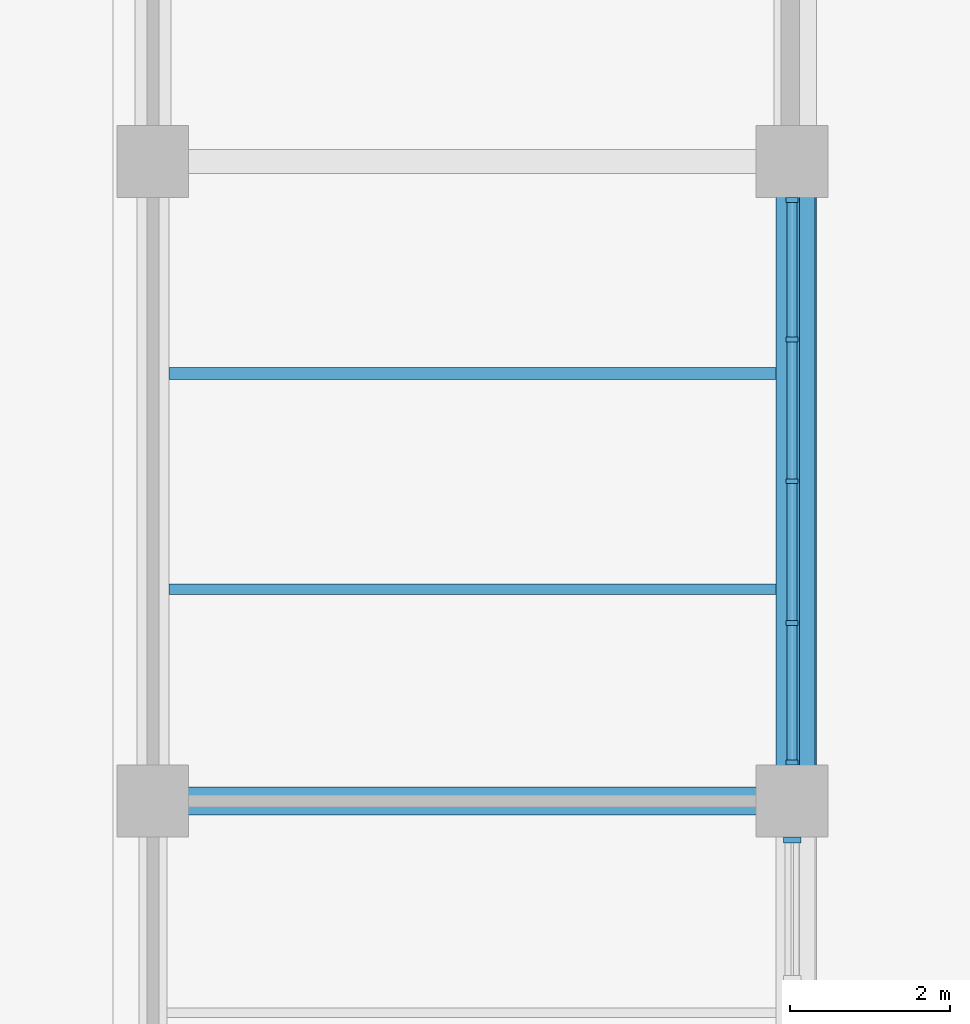
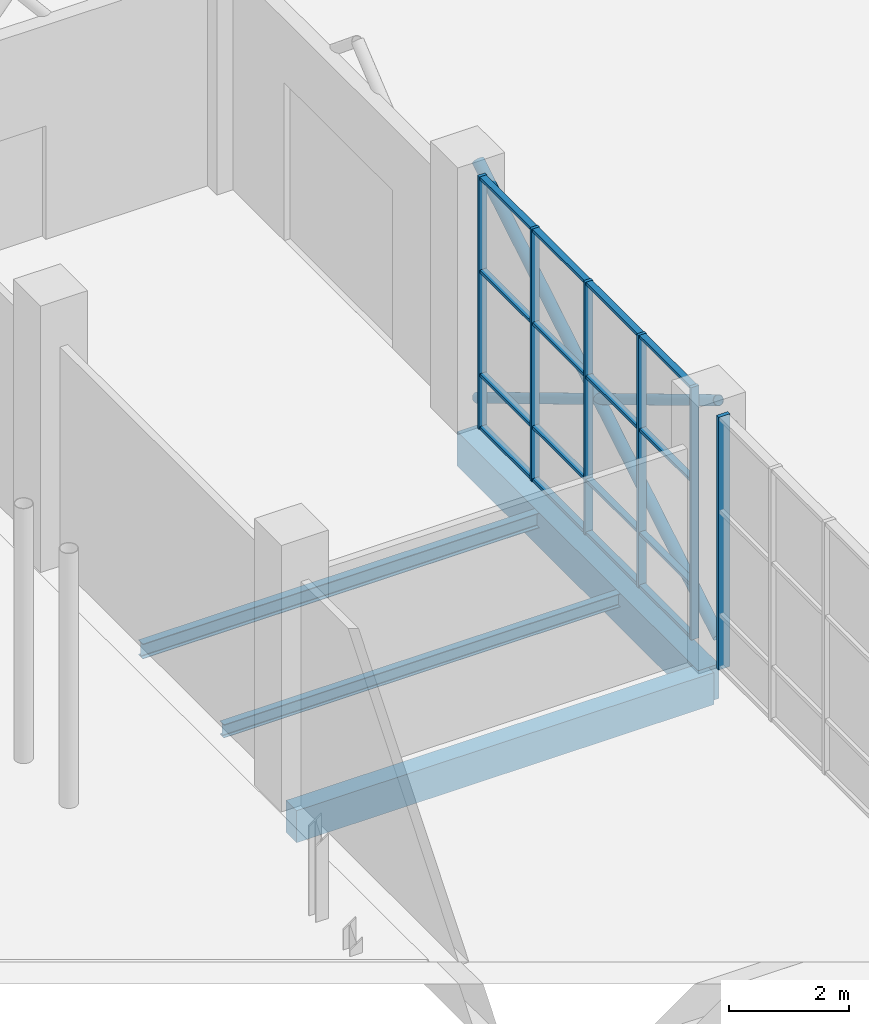
# One storey, part 55 of 123: 24 members, 4 beams, 2 elements without a shape of their own.
"""IFC4 building model written with IfcOpenShell, lengths in metres."""

from ifc_helpers import new_model, si_unit, direction, frame, origin, origin_2d, place, context, subcontext, project, spatial, rectangle, hollow_circle, i_section, extrude, material, material_profile, profile_set, type_object, element, aggregate, save


model = new_model("IFC4")

# Units and contexts
model_context = context("Model", 3, precision=1e-05, world=origin(), true_north=direction((0.0, 1.0)))
body_context = subcontext(model_context, "Body", "Model", "MODEL_VIEW")
ifc_project = project(units=[si_unit("LENGTHUNIT", "METRE"), si_unit("AREAUNIT", "SQUARE_METRE"), si_unit("VOLUMEUNIT", "CUBIC_METRE"), si_unit("PLANEANGLEUNIT", "RADIAN"), si_unit("MASSUNIT", "GRAM", prefix="KILO")], contexts=[model_context])

# Site, building, storey
site_placement = place(None, origin())
site = spatial("IfcSite", under=ifc_project, at=site_placement, CompositionType="ELEMENT")
building_placement = place(site_placement, origin())
building = spatial("IfcBuilding", under=site, at=building_placement, Name="Tenunan Teduh Sports Hall", CompositionType="ELEMENT")
storey_placement = place(building_placement, origin())
storey = spatial("IfcBuildingStorey", under=building, at=storey_placement, Name="L00", CompositionType="ELEMENT", Elevation=0.0)

# Beams
ifc_material_1 = material(Name="Concrete C40/50", Category="concrete")
ifc_material_profile_1 = material_profile(ifc_material_1, rectangle(XDim=0.35009765625, YDim=0.64990234375, at=origin_2d()), Name="RCB 350x650")
ifc_profile_set_1 = profile_set([ifc_material_profile_1], Name="Concrete C40/50")
beam_type_1 = type_object("IfcBeamType", Name="BM-RC-350x650", PredefinedType="BEAM", material=ifc_profile_set_1)
beam_1_placement = place(storey_placement, frame((146.0, 62.0, -0.625), z_axis=(1.0, 0.0, 0.0), x_axis=(0.0, 1.0, 0.0)))
element("IfcBeam", 1, at=beam_1_placement, inside=storey, type_object=beam_type_1, Name="BM-B-05-L00-0670", PredefinedType="BEAM", context=body_context, shape_type="SweptSolid", body=[
    extrude(rectangle(XDim=0.35009765625, YDim=0.64990234375, at=origin_2d()), origin(), (0.0, 0.0, 1.0), 8.0),
])
ifc_material_2 = material(Name="Concrete C40/50", Category="concrete")
ifc_material_profile_2 = material_profile(ifc_material_2, rectangle(XDim=0.39990234375, YDim=0.699951171875, at=origin_2d()), Name="RCB 400x700")
ifc_profile_set_2 = profile_set([ifc_material_profile_2], Name="Concrete C40/50")
beam_type_2 = type_object("IfcBeamType", Name="BM-RC-400x700", PredefinedType="BEAM", material=ifc_profile_set_2)
beam_2_placement = place(storey_placement, frame((154.0, 62.0, -0.64990234375), z_axis=(0.0, 1.0, 0.0), x_axis=(-1.0, 0.0, 0.0)))
element("IfcBeam", 2, at=beam_2_placement, inside=storey, type_object=beam_type_2, Name="BM-B-08-L00-0880", PredefinedType="BEAM", context=body_context, shape_type="SweptSolid", body=[
    extrude(rectangle(XDim=0.39990234375, YDim=0.699951171875, at=origin_2d()), origin(), (0.0, 0.0, 1.0), 8.0),
])

# Curtain wall, members
ifc_material_3 = material(Name="Anodised aluminium", Category="aluminium")
curtain_wall_type = type_object("IfcCurtainWallType", Name="CW-UNIT-1", PredefinedType="NOTDEFINED", material=ifc_material_3)
curtain_wall_1_placement = place(storey_placement, origin())
curtain_wall_1 = element("IfcCurtainWall", 3, at=curtain_wall_1_placement, inside=storey, type_object=curtain_wall_type, Name="CW-CWM-150-L00-115", PredefinedType="NOTDEFINED")
ifc_material_4 = material(Name="Anodised aluminium", Category="aluminium")
ifc_material_profile_3 = material_profile(ifc_material_4, rectangle(XDim=0.06005859375, YDim=0.14990234375, at=origin_2d()), Name="CWM 60x150")
ifc_profile_set_3 = profile_set([ifc_material_profile_3], Name="Anodised aluminium")
member_type_1 = type_object("IfcMemberType", Name="CWM-150", PredefinedType="MULLION", material=ifc_profile_set_3)
member_1_placement = place(storey_placement, frame((154.0, 62.47998046875, 0.0), z_axis=(0.0, 0.0, 1.0), x_axis=(0.0, 1.0, 0.0)))
member_1 = element("IfcMember", 4, at=member_1_placement, type_object=member_type_1, Name="CW-01 mullion 1", PredefinedType="MULLION", context=body_context, shape_type="SweptSolid", body=[
    extrude(rectangle(XDim=0.06005859375, YDim=0.14990234375, at=origin_2d()), origin(), (0.0, 0.0, 1.0), 5.1201171875),
])
member_2_placement = place(storey_placement, frame((154.0, 64.22509765625, 0.0), z_axis=(0.0, 0.0, 1.0), x_axis=(0.0, 1.0, 0.0)))
member_2 = element("IfcMember", 5, at=member_2_placement, type_object=member_type_1, Name="CW-01 mullion 2", PredefinedType="MULLION", context=body_context, shape_type="SweptSolid", body=[
    extrude(rectangle(XDim=0.06005859375, YDim=0.14990234375, at=origin_2d()), origin(), (0.0, 0.0, 1.0), 5.1201171875),
])
member_3_placement = place(storey_placement, frame((154.0, 66.0, 0.0), z_axis=(0.0, 0.0, 1.0), x_axis=(0.0, 1.0, 0.0)))
member_3 = element("IfcMember", 6, at=member_3_placement, type_object=member_type_1, Name="CW-01 mullion 3", PredefinedType="MULLION", context=body_context, shape_type="SweptSolid", body=[
    extrude(rectangle(XDim=0.06005859375, YDim=0.14990234375, at=origin_2d()), origin(), (0.0, 0.0, 1.0), 5.1201171875),
])
member_4_placement = place(storey_placement, frame((154.0, 67.77490234375, 0.0), z_axis=(0.0, 0.0, 1.0), x_axis=(0.0, 1.0, 0.0)))
member_4 = element("IfcMember", 7, at=member_4_placement, type_object=member_type_1, Name="CW-01 mullion 4", PredefinedType="MULLION", context=body_context, shape_type="SweptSolid", body=[
    extrude(rectangle(XDim=0.06005859375, YDim=0.14990234375, at=origin_2d()), origin(), (0.0, 0.0, 1.0), 5.1201171875),
])
member_5_placement = place(storey_placement, frame((154.0, 69.52001953125, 0.0), z_axis=(0.0, 0.0, 1.0), x_axis=(0.0, 1.0, 0.0)))
member_5 = element("IfcMember", 8, at=member_5_placement, type_object=member_type_1, Name="CW-01 mullion 5", PredefinedType="MULLION", context=body_context, shape_type="SweptSolid", body=[
    extrude(rectangle(XDim=0.06005859375, YDim=0.14990234375, at=origin_2d()), origin(), (0.0, 0.0, 1.0), 5.1201171875),
])

# Curtain wall, member
curtain_wall_2_placement = place(storey_placement, origin())
curtain_wall_2 = element("IfcCurtainWall", 9, at=curtain_wall_2_placement, inside=storey, type_object=curtain_wall_type, Name="CW-CWM-220-L00-113", PredefinedType="NOTDEFINED")
ifc_material_5 = material(Name="Anodised aluminium", Category="aluminium")
ifc_material_profile_4 = material_profile(ifc_material_5, rectangle(XDim=0.074951171875, YDim=0.219970703125, at=origin_2d()), Name="CWM 75x220")
ifc_profile_set_4 = profile_set([ifc_material_profile_4], Name="Anodised aluminium")
member_type_2 = type_object("IfcMemberType", Name="CWM-220", PredefinedType="MULLION", material=ifc_profile_set_4)
member_6_placement = place(storey_placement, frame((154.0, 61.512451171875, 0.0), z_axis=(0.0, 0.0, 1.0), x_axis=(0.0, 1.0, 0.0)))
member_6 = element("IfcMember", 10, at=member_6_placement, type_object=member_type_2, Name="CW-01 mullion 5", PredefinedType="MULLION", context=body_context, shape_type="SweptSolid", body=[
    extrude(rectangle(XDim=0.074951171875, YDim=0.219970703125, at=origin_2d()), origin(), (0.0, 0.0, 1.0), 5.1201171875),
])
aggregate(curtain_wall_2, [member_6])

# Member
ifc_material_6 = material(Name="Anodised aluminium", Category="aluminium")
ifc_material_profile_5 = material_profile(ifc_material_6, rectangle(XDim=0.06005859375, YDim=0.1201171875, at=origin_2d()), Name="CWT 60x120")
ifc_profile_set_5 = profile_set([ifc_material_profile_5], Name="Anodised aluminium")
member_type_3 = type_object("IfcMemberType", Name="CWT-125", PredefinedType="USERDEFINED", material=ifc_profile_set_5)
member_7_placement = place(storey_placement, frame((154.0, 62.510009765625, 0.030029296875), z_axis=(0.0, 1.0, 0.0), x_axis=(0.0, 0.0, 1.0)))
member_7 = element("IfcMember", 11, at=member_7_placement, type_object=member_type_3, Name="CW-01 transom 1.1", ObjectType="TRANSOM", PredefinedType="USERDEFINED", context=body_context, shape_type="SweptSolid", body=[
    extrude(rectangle(XDim=0.06005859375, YDim=0.1201171875, at=origin_2d()), origin(), (0.0, 0.0, 1.0), 1.68505859375),
])

member_8_placement = place(storey_placement, frame((154.0, 62.510009765625, 1.10009765625), z_axis=(0.0, 1.0, 0.0), x_axis=(0.0, 0.0, 1.0)))
member_8 = element("IfcMember", 12, at=member_8_placement, type_object=member_type_3, Name="CW-01 transom 1.2", ObjectType="TRANSOM", PredefinedType="USERDEFINED", context=body_context, shape_type="SweptSolid", body=[
    extrude(rectangle(XDim=0.06005859375, YDim=0.1201171875, at=origin_2d()), origin(), (0.0, 0.0, 1.0), 1.68505859375),
])

member_9_placement = place(storey_placement, frame((154.0, 62.510009765625, 3.199951171875), z_axis=(0.0, 1.0, 0.0), x_axis=(0.0, 0.0, 1.0)))
member_9 = element("IfcMember", 13, at=member_9_placement, type_object=member_type_3, Name="CW-01 transom 1.3", ObjectType="TRANSOM", PredefinedType="USERDEFINED", context=body_context, shape_type="SweptSolid", body=[
    extrude(rectangle(XDim=0.06005859375, YDim=0.1201171875, at=origin_2d()), origin(), (0.0, 0.0, 1.0), 1.68505859375),
])

member_10_placement = place(storey_placement, frame((154.0, 62.510009765625, 5.090087890625), z_axis=(0.0, 1.0, 0.0), x_axis=(0.0, 0.0, 1.0)))
member_10 = element("IfcMember", 14, at=member_10_placement, type_object=member_type_3, Name="CW-01 transom 1.4", ObjectType="TRANSOM", PredefinedType="USERDEFINED", context=body_context, shape_type="SweptSolid", body=[
    extrude(rectangle(XDim=0.06005859375, YDim=0.1201171875, at=origin_2d()), origin(), (0.0, 0.0, 1.0), 1.68505859375),
])

member_11_placement = place(storey_placement, frame((154.0, 64.2548828125, 0.030029296875), z_axis=(0.0, 1.0, 0.0), x_axis=(0.0, 0.0, 1.0)))
member_11 = element("IfcMember", 15, at=member_11_placement, type_object=member_type_3, Name="CW-01 transom 2.1", ObjectType="TRANSOM", PredefinedType="USERDEFINED", context=body_context, shape_type="SweptSolid", body=[
    extrude(rectangle(XDim=0.06005859375, YDim=0.1201171875, at=origin_2d()), origin(), (0.0, 0.0, 1.0), 1.715087890625),
])

member_12_placement = place(storey_placement, frame((154.0, 64.2548828125, 1.10009765625), z_axis=(0.0, 1.0, 0.0), x_axis=(0.0, 0.0, 1.0)))
member_12 = element("IfcMember", 16, at=member_12_placement, type_object=member_type_3, Name="CW-01 transom 2.2", ObjectType="TRANSOM", PredefinedType="USERDEFINED", context=body_context, shape_type="SweptSolid", body=[
    extrude(rectangle(XDim=0.06005859375, YDim=0.1201171875, at=origin_2d()), origin(), (0.0, 0.0, 1.0), 1.715087890625),
])

member_13_placement = place(storey_placement, frame((154.0, 64.2548828125, 3.199951171875), z_axis=(0.0, 1.0, 0.0), x_axis=(0.0, 0.0, 1.0)))
member_13 = element("IfcMember", 17, at=member_13_placement, type_object=member_type_3, Name="CW-01 transom 2.3", ObjectType="TRANSOM", PredefinedType="USERDEFINED", context=body_context, shape_type="SweptSolid", body=[
    extrude(rectangle(XDim=0.06005859375, YDim=0.1201171875, at=origin_2d()), origin(), (0.0, 0.0, 1.0), 1.715087890625),
])

member_14_placement = place(storey_placement, frame((154.0, 64.2548828125, 5.090087890625), z_axis=(0.0, 1.0, 0.0), x_axis=(0.0, 0.0, 1.0)))
member_14 = element("IfcMember", 18, at=member_14_placement, type_object=member_type_3, Name="CW-01 transom 2.4", ObjectType="TRANSOM", PredefinedType="USERDEFINED", context=body_context, shape_type="SweptSolid", body=[
    extrude(rectangle(XDim=0.06005859375, YDim=0.1201171875, at=origin_2d()), origin(), (0.0, 0.0, 1.0), 1.715087890625),
])

member_15_placement = place(storey_placement, frame((154.0, 66.030029296875, 0.030029296875), z_axis=(0.0, 1.0, 0.0), x_axis=(0.0, 0.0, 1.0)))
member_15 = element("IfcMember", 19, at=member_15_placement, type_object=member_type_3, Name="CW-01 transom 3.1", ObjectType="TRANSOM", PredefinedType="USERDEFINED", context=body_context, shape_type="SweptSolid", body=[
    extrude(rectangle(XDim=0.06005859375, YDim=0.1201171875, at=origin_2d()), origin(), (0.0, 0.0, 1.0), 1.715087890625),
])

member_16_placement = place(storey_placement, frame((154.0, 66.030029296875, 1.10009765625), z_axis=(0.0, 1.0, 0.0), x_axis=(0.0, 0.0, 1.0)))
member_16 = element("IfcMember", 20, at=member_16_placement, type_object=member_type_3, Name="CW-01 transom 3.2", ObjectType="TRANSOM", PredefinedType="USERDEFINED", context=body_context, shape_type="SweptSolid", body=[
    extrude(rectangle(XDim=0.06005859375, YDim=0.1201171875, at=origin_2d()), origin(), (0.0, 0.0, 1.0), 1.715087890625),
])

member_17_placement = place(storey_placement, frame((154.0, 66.030029296875, 3.199951171875), z_axis=(0.0, 1.0, 0.0), x_axis=(0.0, 0.0, 1.0)))
member_17 = element("IfcMember", 21, at=member_17_placement, type_object=member_type_3, Name="CW-01 transom 3.3", ObjectType="TRANSOM", PredefinedType="USERDEFINED", context=body_context, shape_type="SweptSolid", body=[
    extrude(rectangle(XDim=0.06005859375, YDim=0.1201171875, at=origin_2d()), origin(), (0.0, 0.0, 1.0), 1.715087890625),
])

member_18_placement = place(storey_placement, frame((154.0, 66.030029296875, 5.090087890625), z_axis=(0.0, 1.0, 0.0), x_axis=(0.0, 0.0, 1.0)))
member_18 = element("IfcMember", 22, at=member_18_placement, type_object=member_type_3, Name="CW-01 transom 3.4", ObjectType="TRANSOM", PredefinedType="USERDEFINED", context=body_context, shape_type="SweptSolid", body=[
    extrude(rectangle(XDim=0.06005859375, YDim=0.1201171875, at=origin_2d()), origin(), (0.0, 0.0, 1.0), 1.715087890625),
])

member_19_placement = place(storey_placement, frame((154.0, 67.804931640625, 0.030029296875), z_axis=(0.0, 1.0, 0.0), x_axis=(0.0, 0.0, 1.0)))
member_19 = element("IfcMember", 23, at=member_19_placement, type_object=member_type_3, Name="CW-01 transom 4.1", ObjectType="TRANSOM", PredefinedType="USERDEFINED", context=body_context, shape_type="SweptSolid", body=[
    extrude(rectangle(XDim=0.06005859375, YDim=0.1201171875, at=origin_2d()), origin(), (0.0, 0.0, 1.0), 1.68505859375),
])

member_20_placement = place(storey_placement, frame((154.0, 67.804931640625, 1.10009765625), z_axis=(0.0, 1.0, 0.0), x_axis=(0.0, 0.0, 1.0)))
member_20 = element("IfcMember", 24, at=member_20_placement, type_object=member_type_3, Name="CW-01 transom 4.2", ObjectType="TRANSOM", PredefinedType="USERDEFINED", context=body_context, shape_type="SweptSolid", body=[
    extrude(rectangle(XDim=0.06005859375, YDim=0.1201171875, at=origin_2d()), origin(), (0.0, 0.0, 1.0), 1.68505859375),
])

member_21_placement = place(storey_placement, frame((154.0, 67.804931640625, 3.199951171875), z_axis=(0.0, 1.0, 0.0), x_axis=(0.0, 0.0, 1.0)))
member_21 = element("IfcMember", 25, at=member_21_placement, type_object=member_type_3, Name="CW-01 transom 4.3", ObjectType="TRANSOM", PredefinedType="USERDEFINED", context=body_context, shape_type="SweptSolid", body=[
    extrude(rectangle(XDim=0.06005859375, YDim=0.1201171875, at=origin_2d()), origin(), (0.0, 0.0, 1.0), 1.68505859375),
])

member_22_placement = place(storey_placement, frame((154.0, 67.804931640625, 5.090087890625), z_axis=(0.0, 1.0, 0.0), x_axis=(0.0, 0.0, 1.0)))
member_22 = element("IfcMember", 26, at=member_22_placement, type_object=member_type_3, Name="CW-01 transom 4.4", ObjectType="TRANSOM", PredefinedType="USERDEFINED", context=body_context, shape_type="SweptSolid", body=[
    extrude(rectangle(XDim=0.06005859375, YDim=0.1201171875, at=origin_2d()), origin(), (0.0, 0.0, 1.0), 1.68505859375),
])

aggregate(curtain_wall_1, [member_1, member_2, member_3, member_4, member_5, member_7, member_8, member_9, member_10, member_11, member_12, member_13, member_14, member_15, member_16, member_17, member_18, member_19, member_20, member_21, member_22])

# Beams
ifc_material_7 = material(Name="Steel S355", Category="steel")
ifc_material_profile_6 = material_profile(ifc_material_7, i_section(OverallWidth=0.135009765625, OverallDepth=0.27001953125, WebThickness=0.006591796875, FlangeThickness=0.01025390625, FilletRadius=0.014892578125, at=origin_2d()), Name="IPE 270")
ifc_profile_set_6 = profile_set([ifc_material_profile_6], Name="Steel S355")
beam_type_3 = type_object("IfcBeamType", Name="JST-IPE270", PredefinedType="JOIST", material=ifc_profile_set_6)
beam_3_placement = place(storey_placement, frame((146.199951171875, 64.64990234375, -0.43505859375), z_axis=(1.0, 0.0, 0.0), x_axis=(0.0, 1.0, 0.0)))
element("IfcBeam", 27, at=beam_3_placement, inside=storey, type_object=beam_type_3, Name="BM-J-03-L00-1036", PredefinedType="JOIST", context=body_context, shape_type="SweptSolid", body=[
    extrude(i_section(OverallWidth=0.135009765625, OverallDepth=0.27001953125, WebThickness=0.006591796875, FlangeThickness=0.01025390625, FilletRadius=0.014892578125, at=origin_2d()), origin(), (0.0, 0.0, 1.0), 7.60009765625),
])
ifc_material_8 = material(Name="Steel S355", Category="steel")
ifc_material_profile_7 = material_profile(ifc_material_8, i_section(OverallWidth=0.14990234375, OverallDepth=0.300048828125, WebThickness=0.007080078125, FlangeThickness=0.0107421875, FilletRadius=0.014892578125, at=origin_2d()), Name="IPE 300")
ifc_profile_set_7 = profile_set([ifc_material_profile_7], Name="Steel S355")
beam_type_4 = type_object("IfcBeamType", Name="JST-IPE300", PredefinedType="JOIST", material=ifc_profile_set_7)
beam_4_placement = place(storey_placement, frame((146.199951171875, 67.35009765625, -0.449951171875), z_axis=(1.0, 0.0, 0.0), x_axis=(0.0, 1.0, 0.0)))
element("IfcBeam", 28, at=beam_4_placement, inside=storey, type_object=beam_type_4, Name="BM-J-04-L00-1037", PredefinedType="JOIST", context=body_context, shape_type="SweptSolid", body=[
    extrude(i_section(OverallWidth=0.14990234375, OverallDepth=0.300048828125, WebThickness=0.007080078125, FlangeThickness=0.0107421875, FilletRadius=0.014892578125, at=origin_2d()), origin(), (0.0, 0.0, 1.0), 7.60009765625),
])

# Members
ifc_material_9 = material(Name="Steel S355", Category="steel")
ifc_material_profile_8 = material_profile(ifc_material_9, hollow_circle(Radius=0.096923828125, WallThickness=0.008056640625, at=origin_2d()), Name="CHS 193.7x8.0")
ifc_profile_set_8 = profile_set([ifc_material_profile_8], Name="Steel S355")
member_type_4 = type_object("IfcMemberType", Name="MEM-BR-CHS194", PredefinedType="BRACE", material=ifc_profile_set_8)
member_23_placement = place(storey_placement, frame((154.18994140625, 70.0, 0.25), z_axis=(0.0, -0.857490616715, 0.514499603737), x_axis=(1.0, 0.0, 0.0)))
element("IfcMember", 29, at=member_23_placement, inside=storey, type_object=member_type_4, Name="MEM-GD-03-L00-1057", PredefinedType="BRACE", context=body_context, shape_type="SweptSolid", body=[
    extrude(hollow_circle(Radius=0.096923828125, WallThickness=0.008056640625, at=origin_2d()), origin(), (0.0, 0.0, 1.0), 9.32958984375),
])
ifc_material_10 = material(Name="Steel S355", Category="steel")
ifc_material_profile_9 = material_profile(ifc_material_10, hollow_circle(Radius=0.109619140625, WallThickness=0.010009765625, at=origin_2d()), Name="CHS 219.1x10.0")
ifc_profile_set_9 = profile_set([ifc_material_profile_9], Name="Steel S355")
member_type_5 = type_object("IfcMemberType", Name="MEM-BR-CHS219", PredefinedType="BRACE", material=ifc_profile_set_9)
member_24_placement = place(storey_placement, frame((154.199951171875, 62.0, 0.25), z_axis=(0.0, 0.857490616715, 0.514499603737), x_axis=(-1.0, 0.0, 0.0)))
element("IfcMember", 30, at=member_24_placement, inside=storey, type_object=member_type_5, Name="MEM-GD-02-L00-1056", PredefinedType="BRACE", context=body_context, shape_type="SweptSolid", body=[
    extrude(hollow_circle(Radius=0.109619140625, WallThickness=0.010009765625, at=origin_2d()), origin(), (0.0, 0.0, 1.0), 9.32958984375),
])

save(model, "model.ifc")
